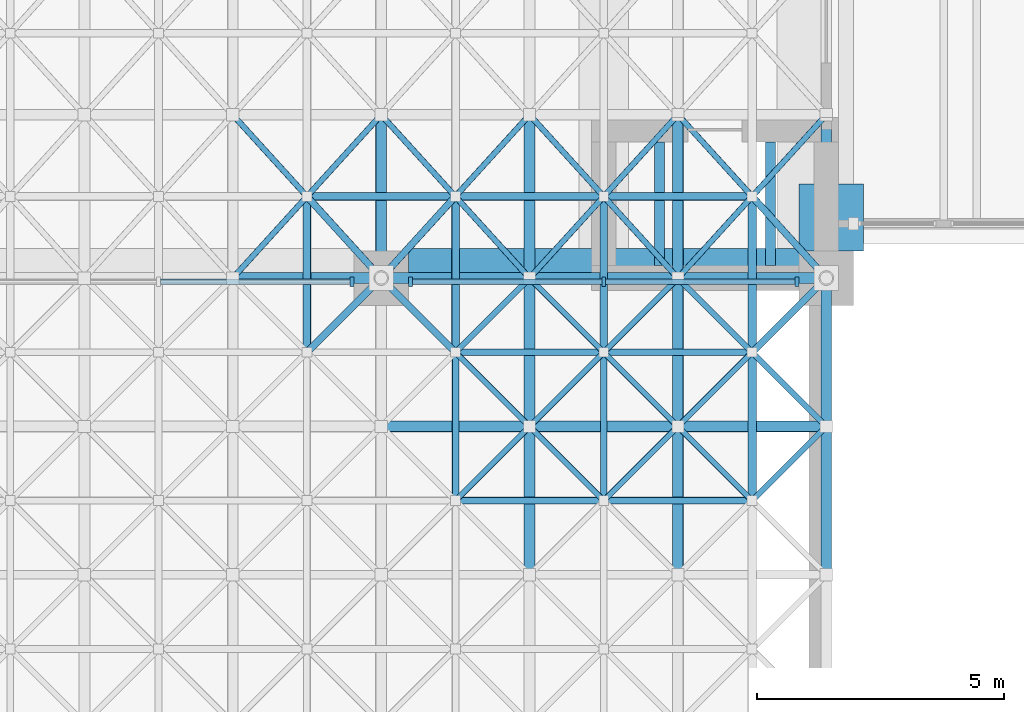
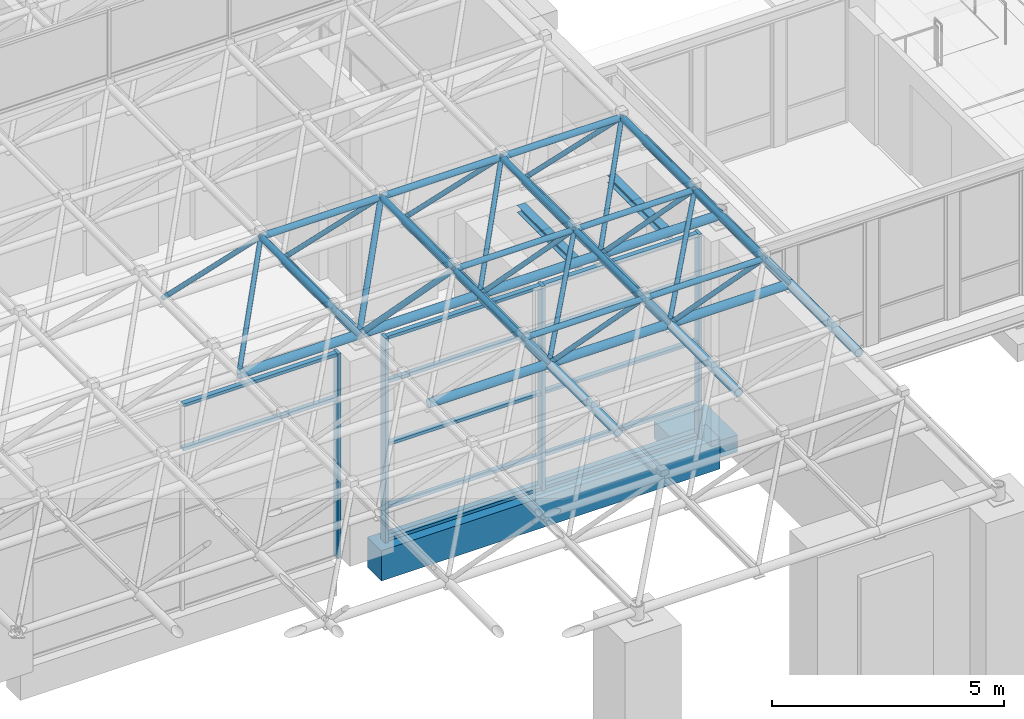
# One storey, part 6 of 53: 81 members, 3 beams, 2 elements without a shape of their own.
"""IFC4 building model written with IfcOpenShell, lengths in metres."""

from ifc_helpers import new_model, si_unit, direction, frame, origin, origin_2d, place, context, subcontext, project, spatial, rectangle, hollow_circle, i_section, extrude, material, layer, layer_set, material_profile, profile_set, type_object, element, aggregate, save


model = new_model("IFC4")

# Units and contexts
model_context = context("Model", 3, precision=1e-05, world=origin(), true_north=direction((0.0, 1.0)))
body_context = subcontext(model_context, "Body", "Model", "MODEL_VIEW")
ifc_project = project(units=[si_unit("LENGTHUNIT", "METRE"), si_unit("AREAUNIT", "SQUARE_METRE"), si_unit("VOLUMEUNIT", "CUBIC_METRE"), si_unit("PLANEANGLEUNIT", "RADIAN"), si_unit("MASSUNIT", "GRAM", prefix="KILO")], contexts=[model_context])

# Site, building, storey
site_placement = place(None, origin())
site = spatial("IfcSite", under=ifc_project, at=site_placement, CompositionType="ELEMENT")
building_placement = place(site_placement, origin())
building = spatial("IfcBuilding", under=site, at=building_placement, Name="Aurelan Courthouse", CompositionType="ELEMENT")
storey_placement = place(building_placement, frame((0.0, 0.0, 12.0)))
storey = spatial("IfcBuildingStorey", under=building, at=storey_placement, Name="L02", CompositionType="ELEMENT", Elevation=12.0)

# Member
ifc_material_1 = material(Name="Concrete C50", Category="concrete")
member_type_1 = type_object("IfcMemberType", Name="Corbel 1300 x 1350 x 450", PredefinedType="USERDEFINED", material=ifc_material_1)
member_1_placement = place(storey_placement, frame((63.10009765625, 13.22509765625, -1.25), z_axis=(0.0, 0.0, 1.0), x_axis=(1.0, 0.0, 0.0)))
element("IfcMember", 1, at=member_1_placement, inside=storey, type_object=member_type_1, Name="Corbel CO-5", ObjectType="CORBEL", PredefinedType="USERDEFINED", context=body_context, shape_type="SweptSolid", body=[
    extrude(rectangle(XDim=1.300048828125, YDim=1.35009765625, at=origin_2d()), origin(), (0.0, 0.0, 1.0), 0.449951171875),
])

# Curtain wall, member
ifc_material_2 = material(Name="Bronze-finished aluminium and glass", Category="aluminium")
ifc_layer = layer(ifc_material_2, 0.14990234375)
ifc_layer_set = layer_set([ifc_layer], Name="Bronze-finished aluminium and glass")
curtain_wall_type = type_object("IfcCurtainWallType", Name="Curtain wall 7900 x 5400", PredefinedType="NOTDEFINED", material=ifc_layer_set)
curtain_wall_1_placement = place(storey_placement, origin())
curtain_wall_1 = element("IfcCurtainWall", 2, at=curtain_wall_1_placement, inside=storey, type_object=curtain_wall_type, Name="Curtain wall CW-V1-L02-S02", PredefinedType="NOTDEFINED")
ifc_material_3 = material(Name="Bronze-finished aluminium", Category="aluminium")
ifc_material_profile_1 = material_profile(ifc_material_3, rectangle(XDim=0.199951171875, YDim=0.080078125, at=origin_2d()), Name="Bronze mullion 80 x 200")
ifc_profile_set_1 = profile_set([ifc_material_profile_1], Name="Bronze-finished aluminium")
member_type_2 = type_object("IfcMemberType", Name="Curtain wall mullion 80 x 200", PredefinedType="MULLION", material=ifc_profile_set_1)
member_2_placement = place(storey_placement, frame((53.409912109375, 11.925048828125, 0.0), z_axis=(0.0, 0.0, 1.0), x_axis=(0.0, 1.0, 0.0)))
member_2 = element("IfcMember", 3, at=member_2_placement, type_object=member_type_2, Name="CW-V1-L02-S02 mullion 3", PredefinedType="MULLION", context=body_context, shape_type="SweptSolid", body=[
    extrude(rectangle(XDim=0.199951171875, YDim=0.080078125, at=origin_2d()), origin(), (0.0, 0.0, 1.0), 5.39990234375),
])

# Curtain wall, members
curtain_wall_2_placement = place(storey_placement, origin())
curtain_wall_2 = element("IfcCurtainWall", 4, at=curtain_wall_2_placement, inside=storey, type_object=curtain_wall_type, Name="Curtain wall CW-V1-L02-S03", PredefinedType="NOTDEFINED")
member_3_placement = place(storey_placement, frame((54.590087890625, 11.925048828125, 0.0), z_axis=(0.0, 0.0, 1.0), x_axis=(0.0, 1.0, 0.0)))
member_3 = element("IfcMember", 5, at=member_3_placement, type_object=member_type_2, Name="CW-V1-L02-S03 mullion 1", PredefinedType="MULLION", context=body_context, shape_type="SweptSolid", body=[
    extrude(rectangle(XDim=0.199951171875, YDim=0.080078125, at=origin_2d()), origin(), (0.0, 0.0, 1.0), 5.39990234375),
])
member_4_placement = place(storey_placement, frame((58.5, 11.925048828125, 0.0), z_axis=(0.0, 0.0, 1.0), x_axis=(0.0, 1.0, 0.0)))
member_4 = element("IfcMember", 6, at=member_4_placement, type_object=member_type_2, Name="CW-V1-L02-S03 mullion 2", PredefinedType="MULLION", context=body_context, shape_type="SweptSolid", body=[
    extrude(rectangle(XDim=0.199951171875, YDim=0.080078125, at=origin_2d()), origin(), (0.0, 0.0, 1.0), 5.39990234375),
])
member_5_placement = place(storey_placement, frame((62.409912109375, 11.925048828125, 0.0), z_axis=(0.0, 0.0, 1.0), x_axis=(0.0, 1.0, 0.0)))
member_5 = element("IfcMember", 7, at=member_5_placement, type_object=member_type_2, Name="CW-V1-L02-S03 mullion 3", PredefinedType="MULLION", context=body_context, shape_type="SweptSolid", body=[
    extrude(rectangle(XDim=0.199951171875, YDim=0.080078125, at=origin_2d()), origin(), (0.0, 0.0, 1.0), 5.39990234375),
])

# Member
ifc_material_profile_2 = material_profile(ifc_material_3, rectangle(XDim=0.1201171875, YDim=0.080078125, at=origin_2d()), Name="Bronze transom 80 x 120")
ifc_profile_set_2 = profile_set([ifc_material_profile_2], Name="Bronze-finished aluminium")
member_type_3 = type_object("IfcMemberType", Name="Curtain wall transom 80 x 120", PredefinedType="USERDEFINED", material=ifc_profile_set_2)
member_6_placement = place(storey_placement, frame((49.5400390625, 11.925048828125, 4.199951171875), z_axis=(1.0, 0.0, 0.0), x_axis=(0.0, 1.0, 0.0)))
member_6 = element("IfcMember", 8, at=member_6_placement, type_object=member_type_3, Name="CW-V1-L02-S02 transom 2.4", ObjectType="TRANSOM", PredefinedType="USERDEFINED", context=body_context, shape_type="SweptSolid", body=[
    extrude(rectangle(XDim=0.1201171875, YDim=0.080078125, at=origin_2d()), origin(), (0.0, 0.0, 1.0), 3.830078125),
])

member_7_placement = place(storey_placement, frame((49.5400390625, 11.925048828125, 5.360107421875), z_axis=(1.0, 0.0, 0.0), x_axis=(0.0, 1.0, 0.0)))
member_7 = element("IfcMember", 9, at=member_7_placement, type_object=member_type_3, Name="CW-V1-L02-S02 transom 2.5", ObjectType="TRANSOM", PredefinedType="USERDEFINED", context=body_context, shape_type="SweptSolid", body=[
    extrude(rectangle(XDim=0.1201171875, YDim=0.080078125, at=origin_2d()), origin(), (0.0, 0.0, 1.0), 3.830078125),
])

aggregate(curtain_wall_1, [member_2, member_6, member_7])

member_8_placement = place(storey_placement, frame((54.6298828125, 11.925048828125, 0.0400390625), z_axis=(1.0, 0.0, 0.0), x_axis=(0.0, 1.0, 0.0)))
member_8 = element("IfcMember", 10, at=member_8_placement, type_object=member_type_3, Name="CW-V1-L02-S03 transom 1.1", ObjectType="TRANSOM", PredefinedType="USERDEFINED", context=body_context, shape_type="SweptSolid", body=[
    extrude(rectangle(XDim=0.1201171875, YDim=0.080078125, at=origin_2d()), origin(), (0.0, 0.0, 1.0), 3.830078125),
])

member_9_placement = place(storey_placement, frame((54.6298828125, 11.925048828125, 0.89990234375), z_axis=(1.0, 0.0, 0.0), x_axis=(0.0, 1.0, 0.0)))
member_9 = element("IfcMember", 11, at=member_9_placement, type_object=member_type_3, Name="CW-V1-L02-S03 transom 1.2", ObjectType="TRANSOM", PredefinedType="USERDEFINED", context=body_context, shape_type="SweptSolid", body=[
    extrude(rectangle(XDim=0.1201171875, YDim=0.080078125, at=origin_2d()), origin(), (0.0, 0.0, 1.0), 3.830078125),
])

member_10_placement = place(storey_placement, frame((54.6298828125, 11.925048828125, 2.550048828125), z_axis=(1.0, 0.0, 0.0), x_axis=(0.0, 1.0, 0.0)))
member_10 = element("IfcMember", 12, at=member_10_placement, type_object=member_type_3, Name="CW-V1-L02-S03 transom 1.3", ObjectType="TRANSOM", PredefinedType="USERDEFINED", context=body_context, shape_type="SweptSolid", body=[
    extrude(rectangle(XDim=0.1201171875, YDim=0.080078125, at=origin_2d()), origin(), (0.0, 0.0, 1.0), 3.830078125),
])

member_11_placement = place(storey_placement, frame((54.6298828125, 11.925048828125, 4.199951171875), z_axis=(1.0, 0.0, 0.0), x_axis=(0.0, 1.0, 0.0)))
member_11 = element("IfcMember", 13, at=member_11_placement, type_object=member_type_3, Name="CW-V1-L02-S03 transom 1.4", ObjectType="TRANSOM", PredefinedType="USERDEFINED", context=body_context, shape_type="SweptSolid", body=[
    extrude(rectangle(XDim=0.1201171875, YDim=0.080078125, at=origin_2d()), origin(), (0.0, 0.0, 1.0), 3.830078125),
])

member_12_placement = place(storey_placement, frame((54.6298828125, 11.925048828125, 5.360107421875), z_axis=(1.0, 0.0, 0.0), x_axis=(0.0, 1.0, 0.0)))
member_12 = element("IfcMember", 14, at=member_12_placement, type_object=member_type_3, Name="CW-V1-L02-S03 transom 1.5", ObjectType="TRANSOM", PredefinedType="USERDEFINED", context=body_context, shape_type="SweptSolid", body=[
    extrude(rectangle(XDim=0.1201171875, YDim=0.080078125, at=origin_2d()), origin(), (0.0, 0.0, 1.0), 3.830078125),
])

member_13_placement = place(storey_placement, frame((58.5400390625, 11.925048828125, 0.0400390625), z_axis=(1.0, 0.0, 0.0), x_axis=(0.0, 1.0, 0.0)))
member_13 = element("IfcMember", 15, at=member_13_placement, type_object=member_type_3, Name="CW-V1-L02-S03 transom 2.1", ObjectType="TRANSOM", PredefinedType="USERDEFINED", context=body_context, shape_type="SweptSolid", body=[
    extrude(rectangle(XDim=0.1201171875, YDim=0.080078125, at=origin_2d()), origin(), (0.0, 0.0, 1.0), 3.830078125),
])

member_14_placement = place(storey_placement, frame((58.5400390625, 11.925048828125, 0.89990234375), z_axis=(1.0, 0.0, 0.0), x_axis=(0.0, 1.0, 0.0)))
member_14 = element("IfcMember", 16, at=member_14_placement, type_object=member_type_3, Name="CW-V1-L02-S03 transom 2.2", ObjectType="TRANSOM", PredefinedType="USERDEFINED", context=body_context, shape_type="SweptSolid", body=[
    extrude(rectangle(XDim=0.1201171875, YDim=0.080078125, at=origin_2d()), origin(), (0.0, 0.0, 1.0), 3.830078125),
])

member_15_placement = place(storey_placement, frame((58.5400390625, 11.925048828125, 2.550048828125), z_axis=(1.0, 0.0, 0.0), x_axis=(0.0, 1.0, 0.0)))
member_15 = element("IfcMember", 17, at=member_15_placement, type_object=member_type_3, Name="CW-V1-L02-S03 transom 2.3", ObjectType="TRANSOM", PredefinedType="USERDEFINED", context=body_context, shape_type="SweptSolid", body=[
    extrude(rectangle(XDim=0.1201171875, YDim=0.080078125, at=origin_2d()), origin(), (0.0, 0.0, 1.0), 3.830078125),
])

member_16_placement = place(storey_placement, frame((58.5400390625, 11.925048828125, 4.199951171875), z_axis=(1.0, 0.0, 0.0), x_axis=(0.0, 1.0, 0.0)))
member_16 = element("IfcMember", 18, at=member_16_placement, type_object=member_type_3, Name="CW-V1-L02-S03 transom 2.4", ObjectType="TRANSOM", PredefinedType="USERDEFINED", context=body_context, shape_type="SweptSolid", body=[
    extrude(rectangle(XDim=0.1201171875, YDim=0.080078125, at=origin_2d()), origin(), (0.0, 0.0, 1.0), 3.830078125),
])

member_17_placement = place(storey_placement, frame((58.5400390625, 11.925048828125, 5.360107421875), z_axis=(1.0, 0.0, 0.0), x_axis=(0.0, 1.0, 0.0)))
member_17 = element("IfcMember", 19, at=member_17_placement, type_object=member_type_3, Name="CW-V1-L02-S03 transom 2.5", ObjectType="TRANSOM", PredefinedType="USERDEFINED", context=body_context, shape_type="SweptSolid", body=[
    extrude(rectangle(XDim=0.1201171875, YDim=0.080078125, at=origin_2d()), origin(), (0.0, 0.0, 1.0), 3.830078125),
])

aggregate(curtain_wall_2, [member_3, member_4, member_5, member_8, member_9, member_10, member_11, member_12, member_13, member_14, member_15, member_16, member_17])

# Beams
ifc_material_4 = material(Name="Steel S355", Category="steel")
ifc_material_profile_3 = material_profile(ifc_material_4, i_section(OverallWidth=0.199951171875, OverallDepth=0.18994140625, WebThickness=0.006591796875, FlangeThickness=0.010009765625, FilletRadius=0.01806640625, at=origin_2d()), Name="HEA 200")
ifc_profile_set_3 = profile_set([ifc_material_profile_3], Name="Steel S355")
beam_type_1 = type_object("IfcBeamType", Name="Hoist beam HEA 200", PredefinedType="BEAM", material=ifc_profile_set_3)
for number, where, z_axis, x_axis, name in (
    (20, (59.625, 12.25, 5.304931640625), (0.0, 1.0, 0.0), (-1.0, 0.0, 0.0), "Hoist beam HB-V1-A1-1"),
    (21, (61.875, 12.25, 5.304931640625), (0.0, 1.0, 0.0), (-1.0, 0.0, 0.0), "Hoist beam HB-V1-A1-2"),
):
    element("IfcBeam", number, at=place(storey_placement, frame(where, z_axis=z_axis, x_axis=x_axis)), inside=storey, type_object=beam_type_1, Name=name, PredefinedType="BEAM", context=body_context, shape_type="SweptSolid", body=[
        extrude(i_section(OverallWidth=0.199951171875, OverallDepth=0.18994140625, WebThickness=0.006591796875, FlangeThickness=0.010009765625, FilletRadius=0.01806640625, at=origin_2d()), origin(), (0.0, 0.0, 1.0), 2.5),
    ])
ifc_material_profile_4 = material_profile(ifc_material_1, rectangle(XDim=0.60009765625, YDim=0.800048828125, at=origin_2d()), Name="RC 600 x 800")
ifc_profile_set_4 = profile_set([ifc_material_profile_4], Name="Concrete C50")
beam_type_2 = type_object("IfcBeamType", Name="RC spandrel beam 600 x 800", PredefinedType="SPANDREL", material=ifc_profile_set_4)
beam_placement = place(storey_placement, frame((54.550048828125, 12.300048828125, -0.699951171875), z_axis=(1.0, 0.0, 0.0), x_axis=(0.0, 1.0, 0.0)))
element("IfcBeam", 22, at=beam_placement, inside=storey, type_object=beam_type_2, Name="Spandrel beam SB-B-7-8", PredefinedType="SPANDREL", context=body_context, shape_type="SweptSolid", body=[
    extrude(rectangle(XDim=0.60009765625, YDim=0.800048828125, at=origin_2d()), origin(), (0.0, 0.0, 1.0), 8.449951171875),
])

# Members
ifc_material_profile_5 = material_profile(ifc_material_4, hollow_circle(Radius=0.06982421875, WallThickness=0.0048828125, at=origin_2d()), Name="CHS 139.7 x 5")
ifc_profile_set_5 = profile_set([ifc_material_profile_5], Name="Steel S355")
member_type_4 = type_object("IfcMemberType", Name="Space frame chord CHS 139.7 x 5", PredefinedType="CHORD", material=ifc_profile_set_5)
for number, where, z_axis, x_axis, name in (
    (23, (55.5, 7.5, 7.699951171875), (1.0, 0.0, 0.0), (0.0, 1.0, 0.0), "Space frame top chord SF-T1"),
    (24, (58.5, 7.5, 7.699951171875), (1.0, 0.0, 0.0), (0.0, 1.0, 0.0), "Space frame top chord SF-T1"),
    (25, (55.5, 10.5, 7.699951171875), (1.0, 0.0, 0.0), (0.0, 1.0, 0.0), "Space frame top chord SF-T1"),
    (26, (58.5, 10.5, 7.699951171875), (1.0, 0.0, 0.0), (0.0, 1.0, 0.0), "Space frame top chord SF-T1"),
    (27, (55.5, 7.5, 7.699951171875), (0.0, 1.0, 0.0), (-1.0, 0.0, 0.0), "Space frame top chord SF-T1"),
    (28, (58.5, 7.5, 7.699951171875), (0.0, 1.0, 0.0), (-1.0, 0.0, 0.0), "Space frame top chord SF-T1"),
):
    element("IfcMember", number, at=place(storey_placement, frame(where, z_axis=z_axis, x_axis=x_axis)), inside=storey, type_object=member_type_4, Name=name, PredefinedType="CHORD", context=body_context, shape_type="SweptSolid", body=[
        extrude(hollow_circle(Radius=0.06982421875, WallThickness=0.0048828125, at=origin_2d()), origin(), (0.0, 0.0, 1.0), 3.0),
    ])
ifc_material_profile_6 = material_profile(ifc_material_4, hollow_circle(Radius=0.07958984375, WallThickness=0.006103515625, at=origin_2d()), Name="CHS 159 x 6")
ifc_profile_set_6 = profile_set([ifc_material_profile_6], Name="Steel S355")
member_type_5 = type_object("IfcMemberType", Name="Space frame chord CHS 159 x 6", PredefinedType="CHORD", material=ifc_profile_set_6)
for number, where, z_axis, x_axis, name in (
    (29, (52.5, 13.64990234375, 7.699951171875), (1.0, 0.0, 0.0), (0.0, 1.0, 0.0), "Space frame top chord SF-T2"),
    (30, (55.5, 13.64990234375, 7.699951171875), (1.0, 0.0, 0.0), (0.0, 1.0, 0.0), "Space frame top chord SF-T2"),
    (31, (58.5, 13.64990234375, 7.699951171875), (1.0, 0.0, 0.0), (0.0, 1.0, 0.0), "Space frame top chord SF-T2"),
):
    element("IfcMember", number, at=place(storey_placement, frame(where, z_axis=z_axis, x_axis=x_axis)), inside=storey, type_object=member_type_5, Name=name, PredefinedType="CHORD", context=body_context, shape_type="SweptSolid", body=[
        extrude(hollow_circle(Radius=0.07958984375, WallThickness=0.006103515625, at=origin_2d()), origin(), (0.0, 0.0, 1.0), 3.0),
    ])
for number, where, z_axis, x_axis, name in (
    (32, (52.5, 10.5, 7.699951171875), (0.0, 1.0, 0.0), (-1.0, 0.0, 0.0), "Space frame top chord SF-T2"),
    (33, (55.5, 10.5, 7.699951171875), (0.0, 1.0, 0.0), (-1.0, 0.0, 0.0), "Space frame top chord SF-T2"),
    (34, (58.5, 10.5, 7.699951171875), (0.0, 1.0, 0.0), (-1.0, 0.0, 0.0), "Space frame top chord SF-T2"),
):
    element("IfcMember", number, at=place(storey_placement, frame(where, z_axis=z_axis, x_axis=x_axis)), inside=storey, type_object=member_type_5, Name=name, PredefinedType="CHORD", context=body_context, shape_type="SweptSolid", body=[
        extrude(hollow_circle(Radius=0.07958984375, WallThickness=0.006103515625, at=origin_2d()), origin(), (0.0, 0.0, 1.0), 3.14990234375),
    ])
ifc_material_profile_7 = material_profile(ifc_material_4, hollow_circle(Radius=0.084228515625, WallThickness=0.008056640625, at=origin_2d()), Name="CHS 168.3 x 8")
ifc_profile_set_7 = profile_set([ifc_material_profile_7], Name="Steel S355")
member_type_6 = type_object("IfcMemberType", Name="Space frame chord CHS 168.3 x 8", PredefinedType="CHORD", material=ifc_profile_set_7)
member_18_placement = place(storey_placement, frame((61.5, 7.5, 7.699951171875), z_axis=(0.0, 1.0, 0.0), x_axis=(-1.0, 0.0, 0.0)))
element("IfcMember", 35, at=member_18_placement, inside=storey, type_object=member_type_6, Name="Space frame top chord SF-T3", PredefinedType="CHORD", context=body_context, shape_type="SweptSolid", body=[
    extrude(hollow_circle(Radius=0.084228515625, WallThickness=0.008056640625, at=origin_2d()), origin(), (0.0, 0.0, 1.0), 3.0),
])
member_19_placement = place(storey_placement, frame((61.5, 10.5, 7.699951171875), z_axis=(0.0, 1.0, 0.0), x_axis=(-1.0, 0.0, 0.0)))
element("IfcMember", 36, at=member_19_placement, inside=storey, type_object=member_type_6, Name="Space frame top chord SF-T3", PredefinedType="CHORD", context=body_context, shape_type="SweptSolid", body=[
    extrude(hollow_circle(Radius=0.084228515625, WallThickness=0.008056640625, at=origin_2d()), origin(), (0.0, 0.0, 1.0), 3.14990234375),
])
ifc_material_profile_8 = material_profile(ifc_material_4, hollow_circle(Radius=0.109619140625, WallThickness=0.010009765625, at=origin_2d()), Name="CHS 219.1 x 10")
ifc_profile_set_8 = profile_set([ifc_material_profile_8], Name="Steel S355")
member_type_7 = type_object("IfcMemberType", Name="Space frame chord CHS 219.1 x 10", PredefinedType="CHORD", material=ifc_profile_set_8)
for number, where, z_axis, x_axis, name in (
    (37, (54.0, 9.0, 5.60009765625), (1.0, 0.0, 0.0), (0.0, 1.0, 0.0), "Space frame bottom chord SF-B1"),
    (38, (57.0, 9.0, 5.60009765625), (1.0, 0.0, 0.0), (0.0, 1.0, 0.0), "Space frame bottom chord SF-B1"),
    (39, (60.0, 9.0, 5.60009765625), (1.0, 0.0, 0.0), (0.0, 1.0, 0.0), "Space frame bottom chord SF-B1"),
    (40, (51.0, 12.0, 5.60009765625), (1.0, 0.0, 0.0), (0.0, 1.0, 0.0), "Space frame bottom chord SF-B1"),
    (41, (54.0, 12.0, 5.60009765625), (1.0, 0.0, 0.0), (0.0, 1.0, 0.0), "Space frame bottom chord SF-B1"),
    (42, (57.0, 12.0, 5.60009765625), (1.0, 0.0, 0.0), (0.0, 1.0, 0.0), "Space frame bottom chord SF-B1"),
    (43, (60.0, 12.0, 5.60009765625), (1.0, 0.0, 0.0), (0.0, 1.0, 0.0), "Space frame bottom chord SF-B1"),
):
    element("IfcMember", number, at=place(storey_placement, frame(where, z_axis=z_axis, x_axis=x_axis)), inside=storey, type_object=member_type_7, Name=name, PredefinedType="CHORD", context=body_context, shape_type="SweptSolid", body=[
        extrude(hollow_circle(Radius=0.109619140625, WallThickness=0.010009765625, at=origin_2d()), origin(), (0.0, 0.0, 1.0), 3.0),
    ])
member_20_placement = place(storey_placement, frame((54.0, 12.0, 5.60009765625), z_axis=(0.0, 1.0, 0.0), x_axis=(-1.0, 0.0, 0.0)))
element("IfcMember", 44, at=member_20_placement, inside=storey, type_object=member_type_7, Name="Space frame bottom chord SF-B1", PredefinedType="CHORD", context=body_context, shape_type="SweptSolid", body=[
    extrude(hollow_circle(Radius=0.109619140625, WallThickness=0.010009765625, at=origin_2d()), origin(), (0.0, 0.0, 1.0), 3.300048828125),
])
for number, where, z_axis, x_axis, name in (
    (45, (57.0, 6.0, 5.60009765625), (0.0, 1.0, 0.0), (-1.0, 0.0, 0.0), "Space frame bottom chord SF-B1"),
    (46, (57.0, 9.0, 5.60009765625), (0.0, 1.0, 0.0), (-1.0, 0.0, 0.0), "Space frame bottom chord SF-B1"),
):
    element("IfcMember", number, at=place(storey_placement, frame(where, z_axis=z_axis, x_axis=x_axis)), inside=storey, type_object=member_type_7, Name=name, PredefinedType="CHORD", context=body_context, shape_type="SweptSolid", body=[
        extrude(hollow_circle(Radius=0.109619140625, WallThickness=0.010009765625, at=origin_2d()), origin(), (0.0, 0.0, 1.0), 3.0),
    ])
member_21_placement = place(storey_placement, frame((57.0, 12.0, 5.60009765625), z_axis=(0.0, 1.0, 0.0), x_axis=(-1.0, 0.0, 0.0)))
element("IfcMember", 47, at=member_21_placement, inside=storey, type_object=member_type_7, Name="Space frame bottom chord SF-B1", PredefinedType="CHORD", context=body_context, shape_type="SweptSolid", body=[
    extrude(hollow_circle(Radius=0.109619140625, WallThickness=0.010009765625, at=origin_2d()), origin(), (0.0, 0.0, 1.0), 3.300048828125),
])
for number, where, z_axis, x_axis, name in (
    (48, (60.0, 6.0, 5.60009765625), (0.0, 1.0, 0.0), (-1.0, 0.0, 0.0), "Space frame bottom chord SF-B1"),
    (49, (60.0, 9.0, 5.60009765625), (0.0, 1.0, 0.0), (-1.0, 0.0, 0.0), "Space frame bottom chord SF-B1"),
):
    element("IfcMember", number, at=place(storey_placement, frame(where, z_axis=z_axis, x_axis=x_axis)), inside=storey, type_object=member_type_7, Name=name, PredefinedType="CHORD", context=body_context, shape_type="SweptSolid", body=[
        extrude(hollow_circle(Radius=0.109619140625, WallThickness=0.010009765625, at=origin_2d()), origin(), (0.0, 0.0, 1.0), 3.0),
    ])
member_22_placement = place(storey_placement, frame((60.0, 12.0, 5.60009765625), z_axis=(0.0, 1.0, 0.0), x_axis=(-1.0, 0.0, 0.0)))
element("IfcMember", 50, at=member_22_placement, inside=storey, type_object=member_type_7, Name="Space frame bottom chord SF-B1", PredefinedType="CHORD", context=body_context, shape_type="SweptSolid", body=[
    extrude(hollow_circle(Radius=0.109619140625, WallThickness=0.010009765625, at=origin_2d()), origin(), (0.0, 0.0, 1.0), 3.300048828125),
])
for number, where, z_axis, x_axis, name in (
    (51, (63.0, 6.0, 5.60009765625), (0.0, 1.0, 0.0), (-1.0, 0.0, 0.0), "Space frame bottom chord SF-B1"),
    (52, (63.0, 9.0, 5.60009765625), (0.0, 1.0, 0.0), (-1.0, 0.0, 0.0), "Space frame bottom chord SF-B1"),
):
    element("IfcMember", number, at=place(storey_placement, frame(where, z_axis=z_axis, x_axis=x_axis)), inside=storey, type_object=member_type_7, Name=name, PredefinedType="CHORD", context=body_context, shape_type="SweptSolid", body=[
        extrude(hollow_circle(Radius=0.109619140625, WallThickness=0.010009765625, at=origin_2d()), origin(), (0.0, 0.0, 1.0), 3.0),
    ])
member_23_placement = place(storey_placement, frame((63.0, 12.0, 5.60009765625), z_axis=(0.0, 1.0, 0.0), x_axis=(-1.0, 0.0, 0.0)))
element("IfcMember", 53, at=member_23_placement, inside=storey, type_object=member_type_7, Name="Space frame bottom chord SF-B1", PredefinedType="CHORD", context=body_context, shape_type="SweptSolid", body=[
    extrude(hollow_circle(Radius=0.109619140625, WallThickness=0.010009765625, at=origin_2d()), origin(), (0.0, 0.0, 1.0), 3.300048828125),
])
ifc_material_profile_9 = material_profile(ifc_material_4, hollow_circle(Radius=0.05712890625, WallThickness=0.00390625, at=origin_2d()), Name="CHS 114.3 x 4")
ifc_profile_set_9 = profile_set([ifc_material_profile_9], Name="Steel S355")
member_type_8 = type_object("IfcMemberType", Name="Space frame diagonal CHS 114.3 x 4", PredefinedType="BRACE", material=ifc_profile_set_9)
for number, where, z_axis, x_axis, name in (
    (54, (52.5, 13.64990234375, 7.699951171875), (-0.489726573432, -0.538667347535, -0.685569377944), (0.739920256233, -0.672694592231, 0.0), "Space frame diagonal SF-D2"),
    (55, (52.5, 13.64990234375, 7.699951171875), (-0.489705546256, 0.538723923689, -0.685539941951), (-0.739969795529, -0.672640098199, 0.0), "Space frame diagonal SF-D2"),
    (56, (52.5, 13.64990234375, 7.699951171875), (0.489705546256, 0.538723923689, -0.685539941951), (-0.739969795529, 0.672640098199, 0.0), "Space frame diagonal SF-D2"),
):
    element("IfcMember", number, at=place(storey_placement, frame(where, z_axis=z_axis, x_axis=x_axis)), inside=storey, type_object=member_type_8, Name=name, PredefinedType="BRACE", context=body_context, shape_type="SweptSolid", body=[
        extrude(hollow_circle(Radius=0.05712890625, WallThickness=0.00390625, at=origin_2d()), origin(), (0.0, 0.0, 1.0), 3.06298828125),
    ])
for number, where, z_axis, x_axis, name in (
    (57, (55.5, 7.5, 7.699951171875), (0.502536257357, 0.502536257357, -0.703501684493), (-0.707106781187, 0.707106781187, 0.0), "Space frame diagonal SF-D2"),
    (58, (55.5, 10.5, 7.699951171875), (0.502536257357, -0.502536257357, -0.703501684493), (0.707106781187, 0.707106781187, 0.0), "Space frame diagonal SF-D2"),
    (59, (55.5, 10.5, 7.699951171875), (0.502536257357, 0.502536257357, -0.703501684493), (-0.707106781187, 0.707106781187, 0.0), "Space frame diagonal SF-D2"),
):
    element("IfcMember", number, at=place(storey_placement, frame(where, z_axis=z_axis, x_axis=x_axis)), inside=storey, type_object=member_type_8, Name=name, PredefinedType="BRACE", context=body_context, shape_type="SweptSolid", body=[
        extrude(hollow_circle(Radius=0.05712890625, WallThickness=0.00390625, at=origin_2d()), origin(), (0.0, 0.0, 1.0), 2.98486328125),
    ])
for number, where, z_axis, x_axis, name in (
    (60, (55.5, 13.64990234375, 7.699951171875), (-0.489705546256, 0.538723923689, -0.685539941951), (-0.739969795529, -0.672640098199, 0.0), "Space frame diagonal SF-D2"),
    (61, (55.5, 13.64990234375, 7.699951171875), (0.489726573432, -0.538667347535, -0.685569377944), (0.739920256233, 0.672694592231, 0.0), "Space frame diagonal SF-D2"),
    (62, (55.5, 13.64990234375, 7.699951171875), (0.489705546256, 0.538723923689, -0.685539941951), (-0.739969795529, 0.672640098199, 0.0), "Space frame diagonal SF-D2"),
):
    element("IfcMember", number, at=place(storey_placement, frame(where, z_axis=z_axis, x_axis=x_axis)), inside=storey, type_object=member_type_8, Name=name, PredefinedType="BRACE", context=body_context, shape_type="SweptSolid", body=[
        extrude(hollow_circle(Radius=0.05712890625, WallThickness=0.00390625, at=origin_2d()), origin(), (0.0, 0.0, 1.0), 3.06298828125),
    ])
for number, where, z_axis, x_axis, name in (
    (63, (58.5, 7.5, 7.699951171875), (-0.502536257357, 0.502536257357, -0.703501684493), (-0.707106781187, -0.707106781187, 0.0), "Space frame diagonal SF-D2"),
    (64, (58.5, 7.5, 7.699951171875), (0.502536257357, 0.502536257357, -0.703501684493), (-0.707106781187, 0.707106781187, 0.0), "Space frame diagonal SF-D2"),
    (65, (58.5, 10.5, 7.699951171875), (-0.502536257357, -0.502536257357, -0.703501684493), (0.707106781187, -0.707106781187, 0.0), "Space frame diagonal SF-D2"),
    (66, (58.5, 10.5, 7.699951171875), (-0.502536257357, 0.502536257357, -0.703501684493), (-0.707106781187, -0.707106781187, 0.0), "Space frame diagonal SF-D2"),
    (67, (58.5, 10.5, 7.699951171875), (0.502536257357, -0.502536257357, -0.703501684493), (0.707106781187, 0.707106781187, 0.0), "Space frame diagonal SF-D2"),
    (68, (58.5, 10.5, 7.699951171875), (0.502536257357, 0.502536257357, -0.703501684493), (-0.707106781187, 0.707106781187, 0.0), "Space frame diagonal SF-D2"),
):
    element("IfcMember", number, at=place(storey_placement, frame(where, z_axis=z_axis, x_axis=x_axis)), inside=storey, type_object=member_type_8, Name=name, PredefinedType="BRACE", context=body_context, shape_type="SweptSolid", body=[
        extrude(hollow_circle(Radius=0.05712890625, WallThickness=0.00390625, at=origin_2d()), origin(), (0.0, 0.0, 1.0), 2.98486328125),
    ])
for number, where, z_axis, x_axis, name in (
    (69, (58.5, 13.64990234375, 7.699951171875), (-0.489726573432, -0.538667347535, -0.685569377944), (0.739920256233, -0.672694592231, 0.0), "Space frame diagonal SF-D2"),
    (70, (58.5, 13.64990234375, 7.699951171875), (-0.489705546256, 0.538723923689, -0.685539941951), (-0.739969795529, -0.672640098199, 0.0), "Space frame diagonal SF-D2"),
    (71, (58.5, 13.64990234375, 7.699951171875), (0.489726573432, -0.538667347535, -0.685569377944), (0.739920256233, 0.672694592231, 0.0), "Space frame diagonal SF-D2"),
    (72, (58.5, 13.64990234375, 7.699951171875), (0.489705546256, 0.538723923689, -0.685539941951), (-0.739969795529, 0.672640098199, 0.0), "Space frame diagonal SF-D2"),
):
    element("IfcMember", number, at=place(storey_placement, frame(where, z_axis=z_axis, x_axis=x_axis)), inside=storey, type_object=member_type_8, Name=name, PredefinedType="BRACE", context=body_context, shape_type="SweptSolid", body=[
        extrude(hollow_circle(Radius=0.05712890625, WallThickness=0.00390625, at=origin_2d()), origin(), (0.0, 0.0, 1.0), 3.06298828125),
    ])
for number, where, z_axis, x_axis, name in (
    (73, (61.5, 7.5, 7.699951171875), (-0.502536257357, 0.502536257357, -0.703501684493), (-0.707106781187, -0.707106781187, 0.0), "Space frame diagonal SF-D2"),
    (74, (61.5, 7.5, 7.699951171875), (0.502536257357, 0.502536257357, -0.703501684493), (-0.707106781187, 0.707106781187, 0.0), "Space frame diagonal SF-D2"),
    (75, (61.5, 10.5, 7.699951171875), (-0.502536257357, -0.502536257357, -0.703501684493), (0.707106781187, -0.707106781187, 0.0), "Space frame diagonal SF-D2"),
    (76, (61.5, 10.5, 7.699951171875), (-0.502536257357, 0.502536257357, -0.703501684493), (-0.707106781187, -0.707106781187, 0.0), "Space frame diagonal SF-D2"),
    (77, (61.5, 10.5, 7.699951171875), (0.502536257357, -0.502536257357, -0.703501684493), (0.707106781187, 0.707106781187, 0.0), "Space frame diagonal SF-D2"),
):
    element("IfcMember", number, at=place(storey_placement, frame(where, z_axis=z_axis, x_axis=x_axis)), inside=storey, type_object=member_type_8, Name=name, PredefinedType="BRACE", context=body_context, shape_type="SweptSolid", body=[
        extrude(hollow_circle(Radius=0.05712890625, WallThickness=0.00390625, at=origin_2d()), origin(), (0.0, 0.0, 1.0), 2.98486328125),
    ])
for number, where, z_axis, x_axis, name in (
    (78, (61.5, 13.64990234375, 7.699951171875), (-0.489726573432, -0.538667347535, -0.685569377944), (0.739920256233, -0.672694592231, 0.0), "Space frame diagonal SF-D2"),
    (79, (61.5, 13.64990234375, 7.699951171875), (-0.489705546256, 0.538723923689, -0.685539941951), (-0.739969795529, -0.672640098199, 0.0), "Space frame diagonal SF-D2"),
    (80, (61.5, 13.64990234375, 7.699951171875), (0.489705546256, 0.538723923689, -0.685539941951), (-0.739969795529, 0.672640098199, 0.0), "Space frame diagonal SF-D2"),
):
    element("IfcMember", number, at=place(storey_placement, frame(where, z_axis=z_axis, x_axis=x_axis)), inside=storey, type_object=member_type_8, Name=name, PredefinedType="BRACE", context=body_context, shape_type="SweptSolid", body=[
        extrude(hollow_circle(Radius=0.05712890625, WallThickness=0.00390625, at=origin_2d()), origin(), (0.0, 0.0, 1.0), 3.06298828125),
    ])
ifc_material_profile_10 = material_profile(ifc_material_4, hollow_circle(Radius=0.06982421875, WallThickness=0.00634765625, at=origin_2d()), Name="CHS 139.7 x 6.3")
ifc_profile_set_10 = profile_set([ifc_material_profile_10], Name="Steel S355")
member_type_9 = type_object("IfcMemberType", Name="Space frame diagonal CHS 139.7 x 6.3", PredefinedType="BRACE", material=ifc_profile_set_10)
member_24_placement = place(storey_placement, frame((52.5, 10.5, 7.699951171875), z_axis=(0.502536257357, 0.502536257357, -0.703501684493), x_axis=(-0.707106781187, 0.707106781187, 0.0)))
element("IfcMember", 81, at=member_24_placement, inside=storey, type_object=member_type_9, Name="Space frame diagonal SF-D1", PredefinedType="BRACE", context=body_context, shape_type="SweptSolid", body=[
    extrude(hollow_circle(Radius=0.06982421875, WallThickness=0.00634765625, at=origin_2d()), origin(), (0.0, 0.0, 1.0), 2.98486328125),
])
member_25_placement = place(storey_placement, frame((52.5, 13.64990234375, 7.699951171875), z_axis=(0.489726573432, -0.538667347535, -0.685569377944), x_axis=(0.739920256233, 0.672694592231, 0.0)))
element("IfcMember", 82, at=member_25_placement, inside=storey, type_object=member_type_9, Name="Space frame diagonal SF-D1", PredefinedType="BRACE", context=body_context, shape_type="SweptSolid", body=[
    extrude(hollow_circle(Radius=0.06982421875, WallThickness=0.00634765625, at=origin_2d()), origin(), (0.0, 0.0, 1.0), 3.06298828125),
])
member_26_placement = place(storey_placement, frame((55.5, 10.5, 7.699951171875), z_axis=(-0.502536257357, 0.502536257357, -0.703501684493), x_axis=(-0.707106781187, -0.707106781187, 0.0)))
element("IfcMember", 83, at=member_26_placement, inside=storey, type_object=member_type_9, Name="Space frame diagonal SF-D1", PredefinedType="BRACE", context=body_context, shape_type="SweptSolid", body=[
    extrude(hollow_circle(Radius=0.06982421875, WallThickness=0.00634765625, at=origin_2d()), origin(), (0.0, 0.0, 1.0), 2.98486328125),
])
member_27_placement = place(storey_placement, frame((55.5, 13.64990234375, 7.699951171875), z_axis=(-0.489726573432, -0.538667347535, -0.685569377944), x_axis=(0.739920256233, -0.672694592231, 0.0)))
element("IfcMember", 84, at=member_27_placement, inside=storey, type_object=member_type_9, Name="Space frame diagonal SF-D1", PredefinedType="BRACE", context=body_context, shape_type="SweptSolid", body=[
    extrude(hollow_circle(Radius=0.06982421875, WallThickness=0.00634765625, at=origin_2d()), origin(), (0.0, 0.0, 1.0), 3.06298828125),
])
member_28_placement = place(storey_placement, frame((61.5, 10.5, 7.699951171875), z_axis=(0.502536257357, 0.502536257357, -0.703501684493), x_axis=(-0.707106781187, 0.707106781187, 0.0)))
element("IfcMember", 85, at=member_28_placement, inside=storey, type_object=member_type_9, Name="Space frame diagonal SF-D1", PredefinedType="BRACE", context=body_context, shape_type="SweptSolid", body=[
    extrude(hollow_circle(Radius=0.06982421875, WallThickness=0.00634765625, at=origin_2d()), origin(), (0.0, 0.0, 1.0), 2.98486328125),
])
member_29_placement = place(storey_placement, frame((61.5, 13.64990234375, 7.699951171875), z_axis=(0.489726573432, -0.538667347535, -0.685569377944), x_axis=(0.739920256233, 0.672694592231, 0.0)))
element("IfcMember", 86, at=member_29_placement, inside=storey, type_object=member_type_9, Name="Space frame diagonal SF-D1", PredefinedType="BRACE", context=body_context, shape_type="SweptSolid", body=[
    extrude(hollow_circle(Radius=0.06982421875, WallThickness=0.00634765625, at=origin_2d()), origin(), (0.0, 0.0, 1.0), 3.06298828125),
])

save(model, "model.ifc")
